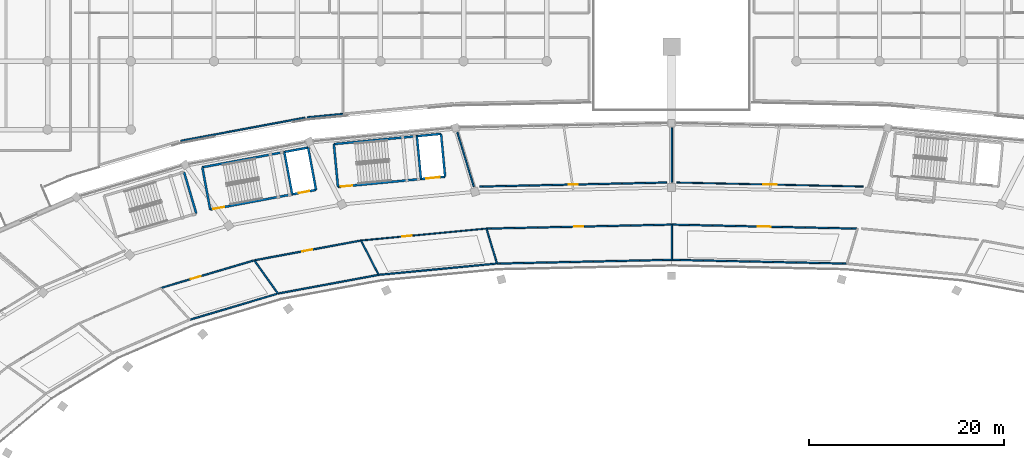
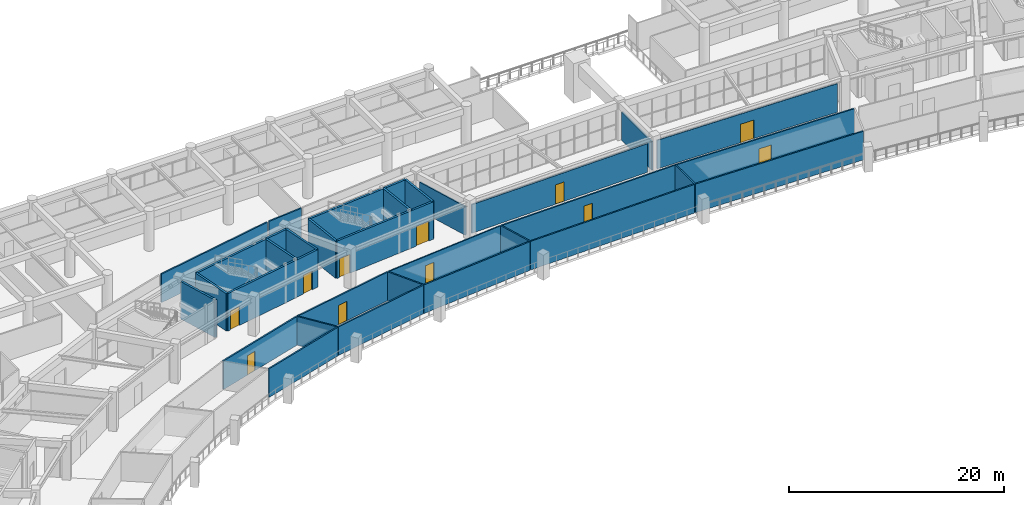
# One storey, part 105 of 141: 31 walls, 11 doors, 11 openings.
"""IFC4 building model written with IfcOpenShell, lengths in metres."""

from ifc_helpers import new_model, si_unit, direction, frame, frame_2d, origin, place, context, subcontext, project, spatial, rectangle, extrude, material, layer, layer_set, type_object, element, fill, save


model = new_model("IFC4")

# Units and contexts
model_context = context("Model", 3, precision=1e-05, world=origin(), true_north=direction((0.0, 1.0)))
body_context = subcontext(model_context, "Body", "Model", "MODEL_VIEW")
ifc_project = project(units=[si_unit("LENGTHUNIT", "METRE"), si_unit("AREAUNIT", "SQUARE_METRE"), si_unit("VOLUMEUNIT", "CUBIC_METRE"), si_unit("PLANEANGLEUNIT", "RADIAN"), si_unit("MASSUNIT", "GRAM", prefix="KILO")], contexts=[model_context])

# Site, building, storey
site_placement = place(None, origin())
site = spatial("IfcSite", under=ifc_project, at=site_placement, CompositionType="ELEMENT")
building_placement = place(site_placement, origin())
building = spatial("IfcBuilding", under=site, at=building_placement, Name="Mphavela Belvedere Stadium", CompositionType="ELEMENT")
storey_placement = place(building_placement, frame((0.0, 0.0, 14.699951171875)))
storey = spatial("IfcBuildingStorey", under=building, at=storey_placement, Name="L03", CompositionType="ELEMENT", Elevation=14.699951171875)

# Walls
ifc_material_1 = material(Name="Concrete C40/50", Category="concrete")
ifc_layer_1 = layer(ifc_material_1, 0.219970703125)
ifc_layer_set_1 = layer_set([ifc_layer_1], Name="Concrete C40/50")
wall_type_1 = type_object("IfcWallType", Name="WAL-CORE-SHEAR-220", PredefinedType="SHEAR", material=ifc_layer_set_1)
wall_1_placement = place(storey_placement, frame((66.955322265625, 156.146728515625, 0.0), z_axis=(0.0, 0.0, 1.0), x_axis=(0.983093434234, 0.183104613723, 0.0)))
element("IfcWall", 1, at=wall_1_placement, inside=storey, type_object=wall_type_1, Name="Core C02 shear wall L03 rear", PredefinedType="SHEAR", context=body_context, shape_type="SweptSolid", body=[
    extrude(rectangle(XDim=11.02001953125, YDim=0.219970703125, at=frame_2d((5.510009765625, 0.0))), origin(), (0.0, 0.0, 1.0), 4.25),
])
for number, where, z_axis, x_axis, name in (
    (2, (67.7626953125, 151.811279296875, 0.0), (0.0, 0.0, 1.0), (-0.183078394814, 0.983098317236, 0.0), "Core C02 shear wall L03 left"),
    (3, (78.596435546875, 153.8291015625, 0.0), (0.0, 0.0, 1.0), (-0.183078394814, 0.983098317236, 0.0), "Core C02 shear wall L03 right"),
):
    element("IfcWall", number, at=place(storey_placement, frame(where, z_axis=z_axis, x_axis=x_axis)), inside=storey, type_object=wall_type_1, Name=name, PredefinedType="SHEAR", context=body_context, shape_type="SweptSolid", body=[
        extrude(rectangle(XDim=4.409912109375, YDim=0.219970703125, at=frame_2d((2.205078125, 0.0))), origin(), (0.0, 0.0, 1.0), 4.25),
    ])

# Wall, openings, doors
wall_2_placement = place(storey_placement, frame((67.7626953125, 151.811279296875, 0.0), z_axis=(0.0, 0.0, 1.0), x_axis=(0.983093434234, 0.183104613723, 0.0)))
wall_2 = element("IfcWall", 4, at=wall_2_placement, inside=storey, type_object=wall_type_1, Name="Core C02 shear wall L03 front", PredefinedType="SHEAR", context=body_context, shape_type="SweptSolid", body=[
    extrude(rectangle(XDim=11.02001953125, YDim=0.219970703125, at=frame_2d((5.510009765625, 0.0))), origin(), (0.0, 0.0, 1.0), 4.25),
])
opening_1_placement = place(wall_2_placement, frame((0.300048828125, 0.0, 0.0)))
opening_1 = element("IfcOpeningElement", 5, at=opening_1_placement, cuts=wall_2, Name="Opening SD-009", PredefinedType="OPENING", context=body_context, shape_type="SweptSolid", body=[
    extrude(rectangle(XDim=1.14990234375, YDim=2.14990234375, at=frame_2d((0.574951171875, 1.074951171875))), frame((0.0, 0.1201171875, 0.0), z_axis=(0.0, -1.0, 0.0), x_axis=(1.0, 0.0, 0.0)), (0.0, 0.0, 1.0), 0.239990234375),
])
opening_2_placement = place(wall_2_placement, frame((9.22998046875, 0.0, 0.0)))
opening_2 = element("IfcOpeningElement", 6, at=opening_2_placement, cuts=wall_2, Name="Opening LD-009", PredefinedType="OPENING", context=body_context, shape_type="SweptSolid", body=[
    extrude(rectangle(XDim=1.10009765625, YDim=2.14990234375, at=frame_2d((0.550048828125, 1.074951171875))), frame((0.0, 0.1201171875, 0.0), z_axis=(0.0, -1.0, 0.0), x_axis=(1.0, 0.0, 0.0)), (0.0, 0.0, 1.0), 0.239990234375),
])
ifc_material_2 = material(Name="Stainless steel center-parting lift landing door", Category="steel")
door_type_1 = type_object("IfcDoorType", Name="DR-LIFT-SLIDE-1100", OperationType="NOTDEFINED", PredefinedType="DOOR", material=ifc_material_2)
door_1_placement = place(opening_2_placement, origin())
door_1 = element("IfcDoor", 7, at=door_1_placement, inside=storey, type_object=door_type_1, Name="Lift landing sliding door PL01 L03", OperationType="DOUBLE_DOOR_SLIDING", OverallHeight=2.14990234375, OverallWidth=1.10009765625, PredefinedType="DOOR", context=body_context, shape_type="SweptSolid", body=[
    extrude(rectangle(XDim=1.10009765625, YDim=2.14990234375, at=frame_2d((0.550048828125, 1.074951171875))), frame((0.0, 0.02490234375, 0.0), z_axis=(0.0, -1.0, 0.0), x_axis=(1.0, 0.0, 0.0)), (0.0, 0.0, 1.0), 0.050048828125),
])
fill(opening_2, door_1)
ifc_material_3 = material(Name="Steel acoustic fire-resisting stair doorset", Category="steel")
door_type_2 = type_object("IfcDoorType", Name="DR-STAIR-FIRE-1150", OperationType="NOTDEFINED", PredefinedType="DOOR", material=ifc_material_3)
door_2_placement = place(opening_1_placement, origin())
door_2 = element("IfcDoor", 8, at=door_2_placement, inside=storey, type_object=door_type_2, Name="Escape stair fire door C02 L03", OperationType="SINGLE_SWING_RIGHT", OverallHeight=2.14990234375, OverallWidth=1.14990234375, PredefinedType="DOOR", context=body_context, shape_type="SweptSolid", body=[
    extrude(rectangle(XDim=1.14990234375, YDim=2.14990234375, at=frame_2d((0.574951171875, 1.074951171875))), frame((0.0, 0.02490234375, 0.0), z_axis=(0.0, -1.0, 0.0), x_axis=(1.0, 0.0, 0.0)), (0.0, 0.0, 1.0), 0.050048828125),
])
fill(opening_1, door_2)

# Walls
wall_3_placement = place(storey_placement, frame((76.158447265625, 153.375, 0.0), z_axis=(0.0, 0.0, 1.0), x_axis=(-0.183078394814, 0.983098317236, 0.0)))
element("IfcWall", 9, at=wall_3_placement, inside=storey, type_object=wall_type_1, Name="Core C02 shear wall L03 div", PredefinedType="SHEAR", context=body_context, shape_type="SweptSolid", body=[
    extrude(rectangle(XDim=4.409912109375, YDim=0.219970703125, at=frame_2d((2.205078125, 0.0))), origin(), (0.0, 0.0, 1.0), 4.25),
])
wall_4_placement = place(storey_placement, frame((80.424072265625, 158.5205078125, 0.0), z_axis=(0.0, 0.0, 1.0), x_axis=(0.99547962713, 0.094975322952, 0.0)))
element("IfcWall", 10, at=wall_4_placement, inside=storey, type_object=wall_type_1, Name="Core C04 shear wall L03 rear", PredefinedType="SHEAR", context=body_context, shape_type="SweptSolid", body=[
    extrude(rectangle(XDim=11.02001953125, YDim=0.219970703125, at=frame_2d((5.510009765625, 0.0))), origin(), (0.0, 0.0, 1.0), 4.25),
])
for number, where, z_axis, x_axis, name in (
    (11, (80.843017578125, 154.13037109375, 0.0), (0.0, 0.0, 1.0), (-0.094997189401, 0.995477540684, 0.0), "Core C04 shear wall L03 left"),
    (12, (91.81298828125, 155.177001953125, 0.0), (0.0, 0.0, 1.0), (-0.094942328893, 0.995482774429, 0.0), "Core C04 shear wall L03 right"),
):
    element("IfcWall", number, at=place(storey_placement, frame(where, z_axis=z_axis, x_axis=x_axis)), inside=storey, type_object=wall_type_1, Name=name, PredefinedType="SHEAR", context=body_context, shape_type="SweptSolid", body=[
        extrude(rectangle(XDim=4.41015625, YDim=0.219970703125, at=frame_2d((2.205078125, 0.0))), origin(), (0.0, 0.0, 1.0), 4.25),
    ])

# Wall, openings, doors
wall_5_placement = place(storey_placement, frame((80.843017578125, 154.13037109375, 0.0), z_axis=(0.0, 0.0, 1.0), x_axis=(0.995479427285, 0.094977417594, 0.0)))
wall_5 = element("IfcWall", 13, at=wall_5_placement, inside=storey, type_object=wall_type_1, Name="Core C04 shear wall L03 front", PredefinedType="SHEAR", context=body_context, shape_type="SweptSolid", body=[
    extrude(rectangle(XDim=11.019775390625, YDim=0.219970703125, at=frame_2d((5.509765625, 0.0))), origin(), (0.0, 0.0, 1.0), 4.25),
])
opening_3_placement = place(wall_5_placement, frame((0.300048828125, 0.0, 0.0)))
opening_3 = element("IfcOpeningElement", 14, at=opening_3_placement, cuts=wall_5, Name="Opening SD-019", PredefinedType="OPENING", context=body_context, shape_type="SweptSolid", body=[
    extrude(rectangle(XDim=1.14990234375, YDim=2.14990234375, at=frame_2d((0.574951171875, 1.074951171875))), frame((0.0, 0.1201171875, 0.0), z_axis=(0.0, -1.0, 0.0), x_axis=(1.0, 0.0, 0.0)), (0.0, 0.0, 1.0), 0.239990234375),
])
opening_4_placement = place(wall_5_placement, frame((9.080078125, 0.0, 0.0)))
opening_4 = element("IfcOpeningElement", 15, at=opening_4_placement, cuts=wall_5, Name="Opening LD-019", PredefinedType="OPENING", context=body_context, shape_type="SweptSolid", body=[
    extrude(rectangle(XDim=1.39990234375, YDim=2.25, at=frame_2d((0.699951171875, 1.125))), frame((0.0, 0.1201171875, 0.0), z_axis=(0.0, -1.0, 0.0), x_axis=(1.0, 0.0, 0.0)), (0.0, 0.0, 1.0), 0.239990234375),
])
ifc_material_4 = material(Name="Heavy-duty stainless steel goods lift landing door", Category="steel")
door_type_3 = type_object("IfcDoorType", Name="DR-LIFT-SLIDE-1400", OperationType="NOTDEFINED", PredefinedType="DOOR", material=ifc_material_4)
door_3_placement = place(opening_4_placement, origin())
door_3 = element("IfcDoor", 16, at=door_3_placement, inside=storey, type_object=door_type_3, Name="Lift landing sliding door GL01 L03", OperationType="DOUBLE_DOOR_SLIDING", OverallHeight=2.25, OverallWidth=1.39990234375, PredefinedType="DOOR", context=body_context, shape_type="SweptSolid", body=[
    extrude(rectangle(XDim=1.39990234375, YDim=2.25, at=frame_2d((0.699951171875, 1.125))), frame((0.0, 0.02490234375, 0.0), z_axis=(0.0, -1.0, 0.0), x_axis=(1.0, 0.0, 0.0)), (0.0, 0.0, 1.0), 0.050048828125),
])
fill(opening_4, door_3)
door_4_placement = place(opening_3_placement, origin())
door_4 = element("IfcDoor", 17, at=door_4_placement, inside=storey, type_object=door_type_2, Name="Escape stair fire door C04 L03", OperationType="SINGLE_SWING_LEFT", OverallHeight=2.14990234375, OverallWidth=1.14990234375, PredefinedType="DOOR", context=body_context, shape_type="SweptSolid", body=[
    extrude(rectangle(XDim=1.14990234375, YDim=2.14990234375, at=frame_2d((0.574951171875, 1.074951171875))), frame((0.0, 0.02490234375, 0.0), z_axis=(0.0, -1.0, 0.0), x_axis=(1.0, 0.0, 0.0)), (0.0, 0.0, 1.0), 0.050048828125),
])
fill(opening_3, door_4)

# Walls
wall_6_placement = place(storey_placement, frame((89.34423828125, 154.94140625, 0.0), z_axis=(0.0, 0.0, 1.0), x_axis=(-0.094942328893, 0.995482774429, 0.0)))
element("IfcWall", 18, at=wall_6_placement, inside=storey, type_object=wall_type_1, Name="Core C04 shear wall L03 div", PredefinedType="SHEAR", context=body_context, shape_type="SweptSolid", body=[
    extrude(rectangle(XDim=4.41015625, YDim=0.219970703125, at=frame_2d((2.205078125, 0.0))), origin(), (0.0, 0.0, 1.0), 4.25),
])
wall_7_placement = place(storey_placement, frame((66.3369140625, 151.416015625, 0.0), z_axis=(0.0, 0.0, 1.0), x_axis=(-0.284497328872, 0.958676832861, 0.0)))
element("IfcWall", 19, at=wall_7_placement, inside=storey, type_object=wall_type_1, Name="Core P03 shear wall L03 right", PredefinedType="SHEAR", context=body_context, shape_type="SweptSolid", body=[
    extrude(rectangle(XDim=4.409912109375, YDim=0.219970703125, at=frame_2d((2.205078125, 0.0))), origin(), (0.0, 0.0, 1.0), 4.25),
])

# Wall, opening, door
ifc_material_5 = material(Name="Moisture-resistant sanitary partition assembly")
ifc_layer_2 = layer(ifc_material_5, 0.125)
ifc_layer_set_2 = layer_set([ifc_layer_2], Name="Moisture-resistant sanitary partition assembly")
wall_type_2 = type_object("IfcWallType", Name="WAL-PART-125", PredefinedType="PARTITIONING", material=ifc_layer_set_2)
wall_8_placement = place(storey_placement, frame((134.64404296875, 154.1708984375, 0.0), z_axis=(0.0, 0.0, 1.0), x_axis=(-0.999768107727, 0.021534409017, 0.0)))
wall_8 = element("IfcWall", 20, at=wall_8_placement, inside=storey, type_object=wall_type_2, Name="Room L03-66 corridor partition", PredefinedType="PARTITIONING", context=body_context, shape_type="SweptSolid", body=[
    extrude(rectangle(XDim=19.13720703125, YDim=0.125, at=frame_2d((9.568603515625, 0.0))), origin(), (0.0, 0.0, 1.0), 3.25),
])
opening_5_placement = place(wall_8_placement, frame((8.86865234375, 0.0, 0.0)))
opening_5 = element("IfcOpeningElement", 21, at=opening_5_placement, cuts=wall_8, Name="Opening ID-264", PredefinedType="OPENING", context=body_context, shape_type="SweptSolid", body=[
    extrude(rectangle(XDim=1.39990234375, YDim=2.10009765625, at=frame_2d((0.699951171875, 1.050048828125))), frame((0.0, 0.072509765625, 0.0), z_axis=(0.0, -1.0, 0.0), x_axis=(1.0, 0.0, 0.0)), (0.0, 0.0, 1.0), 0.14501953125),
])
ifc_material_6 = material(Name="Hardwood acoustic timber doorset", Category="wood")
door_type_4 = type_object("IfcDoorType", Name="DR-INT-12", OperationType="NOTDEFINED", PredefinedType="DOOR", material=ifc_material_6)
door_5_placement = place(opening_5_placement, origin())
door_5 = element("IfcDoor", 22, at=door_5_placement, inside=storey, type_object=door_type_4, Name="Room L03-66 entrance door ID-264", OperationType="SINGLE_SWING_RIGHT", OverallHeight=2.10009765625, OverallWidth=1.39990234375, PredefinedType="DOOR", context=body_context, shape_type="SweptSolid", body=[
    extrude(rectangle(XDim=1.39990234375, YDim=2.10009765625, at=frame_2d((0.699951171875, 1.050048828125))), frame((0.0, 0.02490234375, 0.0), z_axis=(0.0, -1.0, 0.0), x_axis=(1.0, 0.0, 0.0)), (0.0, 0.0, 1.0), 0.050048828125),
])
fill(opening_5, door_5)

wall_9_placement = place(storey_placement, frame((83.200927734375, 148.645263671875, 0.0), z_axis=(0.0, 0.0, 1.0), x_axis=(0.995485111947, 0.094917816515, 0.0)))
wall_9 = element("IfcWall", 23, at=wall_9_placement, inside=storey, type_object=wall_type_2, Name="Room L03-71 corridor partition", PredefinedType="PARTITIONING", context=body_context, shape_type="SweptSolid", body=[
    extrude(rectangle(XDim=12.822021484375, YDim=0.125, at=frame_2d((6.4111328125, 0.0))), origin(), (0.0, 0.0, 1.0), 3.25),
])
opening_6_placement = place(wall_9_placement, frame((4.24072265625, 0.0, 0.0)))
opening_6 = element("IfcOpeningElement", 24, at=opening_6_placement, cuts=wall_9, Name="Opening ID-267", PredefinedType="OPENING", context=body_context, shape_type="SweptSolid", body=[
    extrude(rectangle(XDim=0.97998046875, YDim=2.199951171875, at=frame_2d((0.489990234375, 1.10009765625))), frame((0.0, 0.072509765625, 0.0), z_axis=(0.0, -1.0, 0.0), x_axis=(1.0, 0.0, 0.0)), (0.0, 0.0, 1.0), 0.14501953125),
])
ifc_material_7 = material(Name="Hardwood acoustic timber doorset", Category="wood")
door_type_5 = type_object("IfcDoorType", Name="DR-INT-15", OperationType="NOTDEFINED", PredefinedType="DOOR", material=ifc_material_7)
door_6_placement = place(opening_6_placement, origin())
door_6 = element("IfcDoor", 25, at=door_6_placement, inside=storey, type_object=door_type_5, Name="Room L03-71 entrance door ID-267", OperationType="SINGLE_SWING_LEFT", OverallHeight=2.199951171875, OverallWidth=0.97998046875, PredefinedType="DOOR", context=body_context, shape_type="SweptSolid", body=[
    extrude(rectangle(XDim=0.97998046875, YDim=2.199951171875, at=frame_2d((0.489990234375, 1.10009765625))), frame((0.0, 0.02490234375, 0.0), z_axis=(0.0, -1.0, 0.0), x_axis=(1.0, 0.0, 0.0)), (0.0, 0.0, 1.0), 0.050048828125),
])
fill(opening_6, door_6)

ifc_material_8 = material(Name="Acoustic gypsum stud partition assembly")
ifc_layer_3 = layer(ifc_material_8, 0.14990234375)
ifc_layer_set_3 = layer_set([ifc_layer_3], Name="Acoustic gypsum stud partition assembly")
wall_type_3 = type_object("IfcWallType", Name="WAL-PART-150", PredefinedType="PARTITIONING", material=ifc_layer_set_3)
wall_10_placement = place(storey_placement, frame((115.0400390625, 150.273681640625, 0.0), z_axis=(0.0, 0.0, 1.0), x_axis=(0.999768266483, -0.021527037261, 0.0)))
wall_10 = element("IfcWall", 26, at=wall_10_placement, inside=storey, type_object=wall_type_3, Name="Room L03-65 corridor partition", PredefinedType="PARTITIONING", context=body_context, shape_type="SweptSolid", body=[
    extrude(rectangle(XDim=18.9169921875, YDim=0.14990234375, at=frame_2d((9.45849609375, 0.0))), origin(), (0.0, 0.0, 1.0), 3.25),
])
opening_7_placement = place(wall_10_placement, frame((8.798583984375, 0.0, 0.0)))
opening_7 = element("IfcOpeningElement", 27, at=opening_7_placement, cuts=wall_10, Name="Opening ID-263", PredefinedType="OPENING", context=body_context, shape_type="SweptSolid", body=[
    extrude(rectangle(XDim=1.320068359375, YDim=2.10009765625, at=frame_2d((0.66015625, 1.050048828125))), frame((0.0, 0.0849609375, 0.0), z_axis=(0.0, -1.0, 0.0), x_axis=(1.0, 0.0, 0.0)), (0.0, 0.0, 1.0), 0.169921875),
])
ifc_material_9 = material(Name="Hardwood acoustic timber doorset", Category="wood")
door_type_6 = type_object("IfcDoorType", Name="DR-INT-11", OperationType="NOTDEFINED", PredefinedType="DOOR", material=ifc_material_9)
door_7_placement = place(opening_7_placement, origin())
door_7 = element("IfcDoor", 28, at=door_7_placement, inside=storey, type_object=door_type_6, Name="Room L03-65 entrance door ID-263", OperationType="SINGLE_SWING_LEFT", OverallHeight=2.10009765625, OverallWidth=1.320068359375, PredefinedType="DOOR", context=body_context, shape_type="SweptSolid", body=[
    extrude(rectangle(XDim=1.320068359375, YDim=2.10009765625, at=frame_2d((0.66015625, 1.050048828125))), frame((0.0, 0.02490234375, 0.0), z_axis=(0.0, -1.0, 0.0), x_axis=(1.0, 0.0, 0.0)), (0.0, 0.0, 1.0), 0.050048828125),
])
fill(opening_7, door_7)

wall_11_placement = place(storey_placement, frame((96.04736328125, 149.866455078125, 0.0), z_axis=(0.0, 0.0, 1.0), x_axis=(0.999768266483, 0.021527037261, 0.0)))
wall_11 = element("IfcWall", 29, at=wall_11_placement, inside=storey, type_object=wall_type_3, Name="Room L03-68 corridor partition", PredefinedType="PARTITIONING", context=body_context, shape_type="SweptSolid", body=[
    extrude(rectangle(XDim=18.9169921875, YDim=0.14990234375, at=frame_2d((9.45849609375, 0.0))), origin(), (0.0, 0.0, 1.0), 3.25),
])
opening_8_placement = place(wall_11_placement, frame((9.008544921875, 0.0, 0.0)))
opening_8 = element("IfcOpeningElement", 30, at=opening_8_placement, cuts=wall_11, Name="Opening ID-265", PredefinedType="OPENING", context=body_context, shape_type="SweptSolid", body=[
    extrude(rectangle(XDim=0.89990234375, YDim=2.199951171875, at=frame_2d((0.449951171875, 1.10009765625))), frame((0.0, 0.0849609375, 0.0), z_axis=(0.0, -1.0, 0.0), x_axis=(1.0, 0.0, 0.0)), (0.0, 0.0, 1.0), 0.169921875),
])
ifc_material_10 = material(Name="Hardwood acoustic timber doorset", Category="wood")
door_type_7 = type_object("IfcDoorType", Name="DR-INT-13", OperationType="NOTDEFINED", PredefinedType="DOOR", material=ifc_material_10)
door_8_placement = place(opening_8_placement, origin())
door_8 = element("IfcDoor", 31, at=door_8_placement, inside=storey, type_object=door_type_7, Name="Room L03-68 entrance door ID-265", OperationType="SINGLE_SWING_LEFT", OverallHeight=2.199951171875, OverallWidth=0.89990234375, PredefinedType="DOOR", context=body_context, shape_type="SweptSolid", body=[
    extrude(rectangle(XDim=0.89990234375, YDim=2.199951171875, at=frame_2d((0.449951171875, 1.10009765625))), frame((0.0, 0.02490234375, 0.0), z_axis=(0.0, -1.0, 0.0), x_axis=(1.0, 0.0, 0.0)), (0.0, 0.0, 1.0), 0.050048828125),
])
fill(opening_8, door_8)

wall_12_placement = place(storey_placement, frame((114.48876953125, 154.5830078125, 0.0), z_axis=(0.0, 0.0, 1.0), x_axis=(-0.999768107727, -0.021534409017, 0.0)))
wall_12 = element("IfcWall", 32, at=wall_12_placement, inside=storey, type_object=wall_type_3, Name="Room L03-69 corridor partition", PredefinedType="PARTITIONING", context=body_context, shape_type="SweptSolid", body=[
    extrude(rectangle(XDim=19.13720703125, YDim=0.14990234375, at=frame_2d((9.568603515625, 0.0))), origin(), (0.0, 0.0, 1.0), 3.25),
])
opening_9_placement = place(wall_12_placement, frame((9.0986328125, 0.0, 0.0)))
opening_9 = element("IfcOpeningElement", 33, at=opening_9_placement, cuts=wall_12, Name="Opening ID-266", PredefinedType="OPENING", context=body_context, shape_type="SweptSolid", body=[
    extrude(rectangle(XDim=0.93994140625, YDim=2.199951171875, at=frame_2d((0.469970703125, 1.10009765625))), frame((0.0, 0.0849609375, 0.0), z_axis=(0.0, -1.0, 0.0), x_axis=(1.0, 0.0, 0.0)), (0.0, 0.0, 1.0), 0.169921875),
])
ifc_material_11 = material(Name="Hardwood acoustic timber doorset", Category="wood")
door_type_8 = type_object("IfcDoorType", Name="DR-INT-14", OperationType="NOTDEFINED", PredefinedType="DOOR", material=ifc_material_11)
door_9_placement = place(opening_9_placement, origin())
door_9 = element("IfcDoor", 34, at=door_9_placement, inside=storey, type_object=door_type_8, Name="Room L03-69 entrance door ID-266", OperationType="SINGLE_SWING_RIGHT", OverallHeight=2.199951171875, OverallWidth=0.93994140625, PredefinedType="DOOR", context=body_context, shape_type="SweptSolid", body=[
    extrude(rectangle(XDim=0.93994140625, YDim=2.199951171875, at=frame_2d((0.469970703125, 1.10009765625))), frame((0.0, 0.02490234375, 0.0), z_axis=(0.0, -1.0, 0.0), x_axis=(1.0, 0.0, 0.0)), (0.0, 0.0, 1.0), 0.050048828125),
])
fill(opening_9, door_9)

wall_13_placement = place(storey_placement, frame((72.268310546875, 146.6142578125, 0.0), z_axis=(0.0, 0.0, 1.0), x_axis=(0.983097372707, 0.183083466695, 0.0)))
wall_13 = element("IfcWall", 35, at=wall_13_placement, inside=storey, type_object=wall_type_3, Name="Room L03-73 corridor partition", PredefinedType="PARTITIONING", context=body_context, shape_type="SweptSolid", body=[
    extrude(rectangle(XDim=11.03466796875, YDim=0.14990234375, at=frame_2d((5.517333984375, 0.0))), origin(), (0.0, 0.0, 1.0), 3.25),
])
opening_10_placement = place(wall_13_placement, frame((5.00732421875, 0.0, 0.0)))
opening_10 = element("IfcOpeningElement", 36, at=opening_10_placement, cuts=wall_13, Name="Opening ID-268", PredefinedType="OPENING", context=body_context, shape_type="SweptSolid", body=[
    extrude(rectangle(XDim=1.02001953125, YDim=2.199951171875, at=frame_2d((0.510009765625, 1.10009765625))), frame((0.0, 0.0849609375, 0.0), z_axis=(0.0, -1.0, 0.0), x_axis=(1.0, 0.0, 0.0)), (0.0, 0.0, 1.0), 0.169921875),
])
ifc_material_12 = material(Name="Hardwood acoustic timber doorset", Category="wood")
door_type_9 = type_object("IfcDoorType", Name="DR-INT-16", OperationType="NOTDEFINED", PredefinedType="DOOR", material=ifc_material_12)
door_10_placement = place(opening_10_placement, origin())
door_10 = element("IfcDoor", 37, at=door_10_placement, inside=storey, type_object=door_type_9, Name="Room L03-73 entrance door ID-268", OperationType="SINGLE_SWING_RIGHT", OverallHeight=2.199951171875, OverallWidth=1.02001953125, PredefinedType="DOOR", context=body_context, shape_type="SweptSolid", body=[
    extrude(rectangle(XDim=1.02001953125, YDim=2.199951171875, at=frame_2d((0.510009765625, 1.10009765625))), frame((0.0, 0.02490234375, 0.0), z_axis=(0.0, -1.0, 0.0), x_axis=(1.0, 0.0, 0.0)), (0.0, 0.0, 1.0), 0.050048828125),
])
fill(opening_10, door_10)

wall_14_placement = place(storey_placement, frame((62.701171875, 143.781005859375, 0.0), z_axis=(0.0, 0.0, 1.0), x_axis=(0.958655809656, 0.284568161629, 0.0)))
wall_14 = element("IfcWall", 38, at=wall_14_placement, inside=storey, type_object=wall_type_3, Name="Room L03-75 corridor partition", PredefinedType="PARTITIONING", context=body_context, shape_type="SweptSolid", body=[
    extrude(rectangle(XDim=9.89111328125, YDim=0.14990234375, at=frame_2d((4.945556640625, 0.0))), origin(), (0.0, 0.0, 1.0), 3.25),
])
opening_11_placement = place(wall_14_placement, frame((3.18701171875, 0.0, 0.0)))
opening_11 = element("IfcOpeningElement", 39, at=opening_11_placement, cuts=wall_14, Name="Opening ID-269", PredefinedType="OPENING", context=body_context, shape_type="SweptSolid", body=[
    extrude(rectangle(XDim=1.06005859375, YDim=2.199951171875, at=frame_2d((0.530029296875, 1.10009765625))), frame((0.0, 0.0849609375, 0.0), z_axis=(0.0, -1.0, 0.0), x_axis=(1.0, 0.0, 0.0)), (0.0, 0.0, 1.0), 0.169921875),
])
ifc_material_13 = material(Name="Hardwood acoustic timber doorset", Category="wood")
door_type_10 = type_object("IfcDoorType", Name="DR-INT-17", OperationType="NOTDEFINED", PredefinedType="DOOR", material=ifc_material_13)
door_11_placement = place(opening_11_placement, origin())
door_11 = element("IfcDoor", 40, at=door_11_placement, inside=storey, type_object=door_type_10, Name="Room L03-75 entrance door ID-269", OperationType="SINGLE_SWING_LEFT", OverallHeight=2.199951171875, OverallWidth=1.06005859375, PredefinedType="DOOR", context=body_context, shape_type="SweptSolid", body=[
    extrude(rectangle(XDim=1.06005859375, YDim=2.199951171875, at=frame_2d((0.530029296875, 1.10009765625))), frame((0.0, 0.02490234375, 0.0), z_axis=(0.0, -1.0, 0.0), x_axis=(1.0, 0.0, 0.0)), (0.0, 0.0, 1.0), 0.050048828125),
])
fill(opening_11, door_11)

# Walls
wall_15_placement = place(storey_placement, frame((132.870849609375, 146.2861328125, 0.0), z_axis=(0.0, 0.0, 1.0), x_axis=(-0.999768146144, 0.02153262537, 0.0)))
element("IfcWall", 41, at=wall_15_placement, inside=storey, type_object=wall_type_3, Name="Room divider partition L03-0473", PredefinedType="PARTITIONING", context=body_context, shape_type="SweptSolid", body=[
    extrude(rectangle(XDim=17.8349609375, YDim=0.14990234375, at=frame_2d((8.91748046875, 0.0))), origin(), (0.0, 0.0, 1.0), 3.25),
])
wall_16_placement = place(storey_placement, frame((115.0400390625, 146.670166015625, 0.0), z_axis=(0.0, 0.0, 1.0), x_axis=(0.0, 1.0, 0.0)))
element("IfcWall", 42, at=wall_16_placement, inside=storey, type_object=wall_type_3, Name="Room divider partition L03-0474", PredefinedType="PARTITIONING", context=body_context, shape_type="SweptSolid", body=[
    extrude(rectangle(XDim=3.603515625, YDim=0.14990234375, at=frame_2d((1.8017578125, 0.0))), origin(), (0.0, 0.0, 1.0), 3.25),
])
wall_17_placement = place(storey_placement, frame((115.0400390625, 154.593017578125, 0.0), z_axis=(0.0, 0.0, 1.0), x_axis=(0.0, 1.0, 0.0)))
element("IfcWall", 43, at=wall_17_placement, inside=storey, type_object=wall_type_3, Name="Room divider partition L03-0475", PredefinedType="PARTITIONING", context=body_context, shape_type="SweptSolid", body=[
    extrude(rectangle(XDim=5.576904296875, YDim=0.14990234375, at=frame_2d((2.78857421875, 0.0))), origin(), (0.0, 0.0, 1.0), 3.25),
])
wall_18_placement = place(storey_placement, frame((114.9599609375, 146.670166015625, 0.0), z_axis=(0.0, 0.0, 1.0), x_axis=(-0.999768146144, -0.02153262537, 0.0)))
element("IfcWall", 44, at=wall_18_placement, inside=storey, type_object=wall_type_3, Name="Room divider partition L03-0477", PredefinedType="PARTITIONING", context=body_context, shape_type="SweptSolid", body=[
    extrude(rectangle(XDim=17.8349609375, YDim=0.14990234375, at=frame_2d((8.91748046875, 0.0))), origin(), (0.0, 0.0, 1.0), 3.25),
])
wall_19_placement = place(storey_placement, frame((97.129150390625, 146.2861328125, 0.0), z_axis=(0.0, 0.0, 1.0), x_axis=(-0.289233717162, 0.957258510987, 0.0)))
element("IfcWall", 45, at=wall_19_placement, inside=storey, type_object=wall_type_3, Name="Room divider partition L03-0478", PredefinedType="PARTITIONING", context=body_context, shape_type="SweptSolid", body=[
    extrude(rectangle(XDim=3.740234375, YDim=0.14990234375, at=frame_2d((1.8701171875, 0.0))), origin(), (0.0, 0.0, 1.0), 3.25),
])
wall_20_placement = place(storey_placement, frame((94.750732421875, 154.157958984375, 0.0), z_axis=(0.0, 0.0, 1.0), x_axis=(-0.289195444178, 0.957270074256, 0.0)))
element("IfcWall", 46, at=wall_20_placement, inside=storey, type_object=wall_type_3, Name="Room divider partition L03-0479", PredefinedType="PARTITIONING", context=body_context, shape_type="SweptSolid", body=[
    extrude(rectangle(XDim=5.8173828125, YDim=0.14990234375, at=frame_2d((2.90869140625, 0.0))), origin(), (0.0, 0.0, 1.0), 3.25),
])
wall_21_placement = place(storey_placement, frame((97.04736328125, 146.28076171875, 0.0), z_axis=(0.0, 0.0, 1.0), x_axis=(-0.995483481464, -0.094934915244, 0.0)))
element("IfcWall", 47, at=wall_21_placement, inside=storey, type_object=wall_type_3, Name="Room divider partition L03-0480", PredefinedType="PARTITIONING", context=body_context, shape_type="SweptSolid", body=[
    extrude(rectangle(XDim=12.0869140625, YDim=0.14990234375, at=frame_2d((6.04345703125, 0.0))), origin(), (0.0, 0.0, 1.0), 3.25),
])
wall_22_placement = place(storey_placement, frame((85.01513671875, 145.13330078125, 0.0), z_axis=(0.0, 0.0, 1.0), x_axis=(-0.458959114062, 0.888457388747, 0.0)))
element("IfcWall", 48, at=wall_22_placement, inside=storey, type_object=wall_type_3, Name="Room divider partition L03-0481", PredefinedType="PARTITIONING", context=body_context, shape_type="SweptSolid", body=[
    extrude(rectangle(XDim=3.952880859375, YDim=0.14990234375, at=frame_2d((1.9765625, 0.0))), origin(), (0.0, 0.0, 1.0), 3.25),
])
wall_23_placement = place(storey_placement, frame((84.931884765625, 145.12060546875, 0.0), z_axis=(0.0, 0.0, 1.0), x_axis=(-0.983096264982, -0.183089414709, 0.0)))
element("IfcWall", 49, at=wall_23_placement, inside=storey, type_object=wall_type_3, Name="Room divider partition L03-0482", PredefinedType="PARTITIONING", context=body_context, shape_type="SweptSolid", body=[
    extrude(rectangle(XDim=10.40087890625, YDim=0.14990234375, at=frame_2d((5.200439453125, 0.0))), origin(), (0.0, 0.0, 1.0), 3.25),
])
wall_24_placement = place(storey_placement, frame((74.706787109375, 143.21630859375, 0.0), z_axis=(0.0, 0.0, 1.0), x_axis=(-0.583036891366, 0.812445680219, 0.0)))
element("IfcWall", 50, at=wall_24_placement, inside=storey, type_object=wall_type_3, Name="Room divider partition L03-0483", PredefinedType="PARTITIONING", context=body_context, shape_type="SweptSolid", body=[
    extrude(rectangle(XDim=4.182373046875, YDim=0.14990234375, at=frame_2d((2.09130859375, 0.0))), origin(), (0.0, 0.0, 1.0), 3.25),
])
wall_25_placement = place(storey_placement, frame((74.623779296875, 143.194580078125, 0.0), z_axis=(0.0, 0.0, 1.0), x_axis=(-0.958657695612, -0.284561808126, 0.0)))
element("IfcWall", 51, at=wall_25_placement, inside=storey, type_object=wall_type_3, Name="Room divider partition L03-0484", PredefinedType="PARTITIONING", context=body_context, shape_type="SweptSolid", body=[
    extrude(rectangle(XDim=9.32177734375, YDim=0.14990234375, at=frame_2d((4.660888671875, 0.0))), origin(), (0.0, 0.0, 1.0), 3.25),
])
wall_26_placement = place(storey_placement, frame((77.469482421875, 161.22509765625, 0.0), z_axis=(0.0, 0.0, 1.0), x_axis=(-0.983094545276, -0.183098648406, 0.0)))
element("IfcWall", 52, at=wall_26_placement, inside=storey, type_object=wall_type_3, Name="Room divider partition L03-1068", PredefinedType="PARTITIONING", context=body_context, shape_type="SweptSolid", body=[
    extrude(rectangle(XDim=12.947265625, YDim=0.14990234375, at=frame_2d((6.4736328125, 0.0))), origin(), (0.0, 0.0, 1.0), 3.25),
])
wall_27_placement = place(storey_placement, frame((81.35498046875, 161.605712890625, 0.0), z_axis=(0.0, 0.0, 1.0), x_axis=(-0.995481155674, -0.094959300221, 0.0)))
element("IfcWall", 53, at=wall_27_placement, inside=storey, type_object=wall_type_3, Name="Room divider partition L03-1072", PredefinedType="PARTITIONING", context=body_context, shape_type="SweptSolid", body=[
    extrude(rectangle(XDim=3.681640625, YDim=0.14990234375, at=frame_2d((1.8408203125, 0.0))), origin(), (0.0, 0.0, 1.0), 3.25),
])

save(model, "model.ifc")
